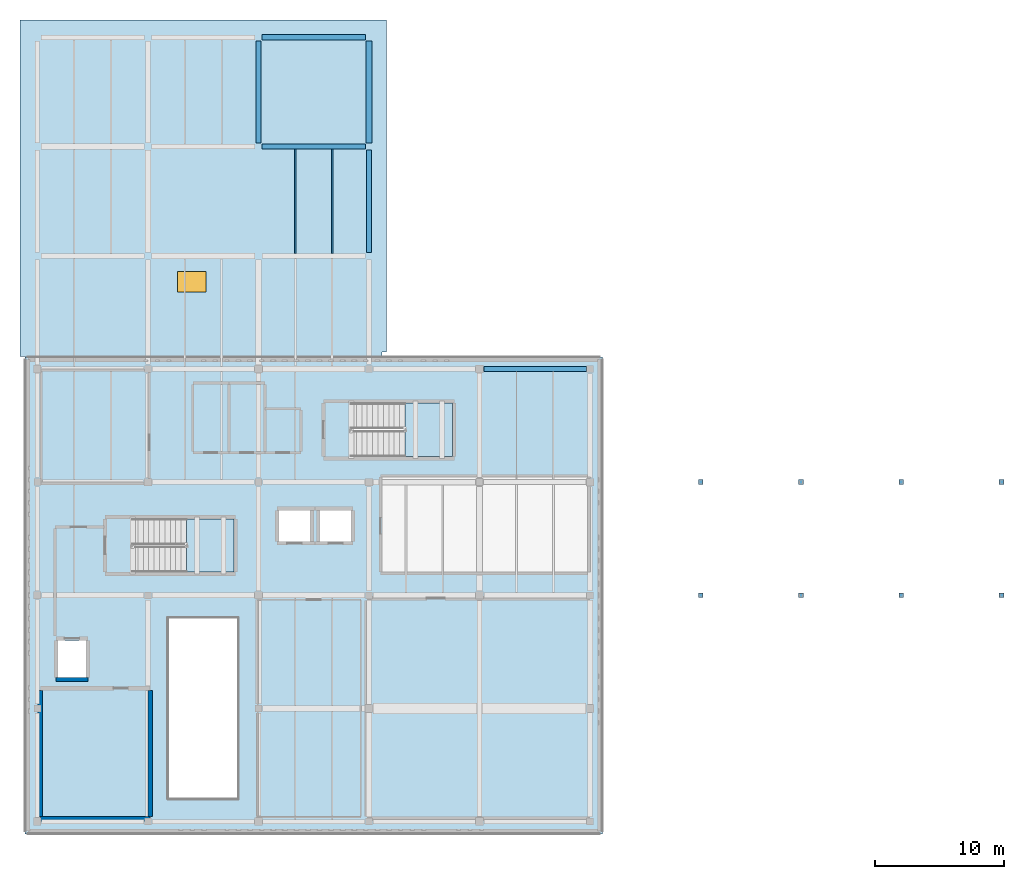
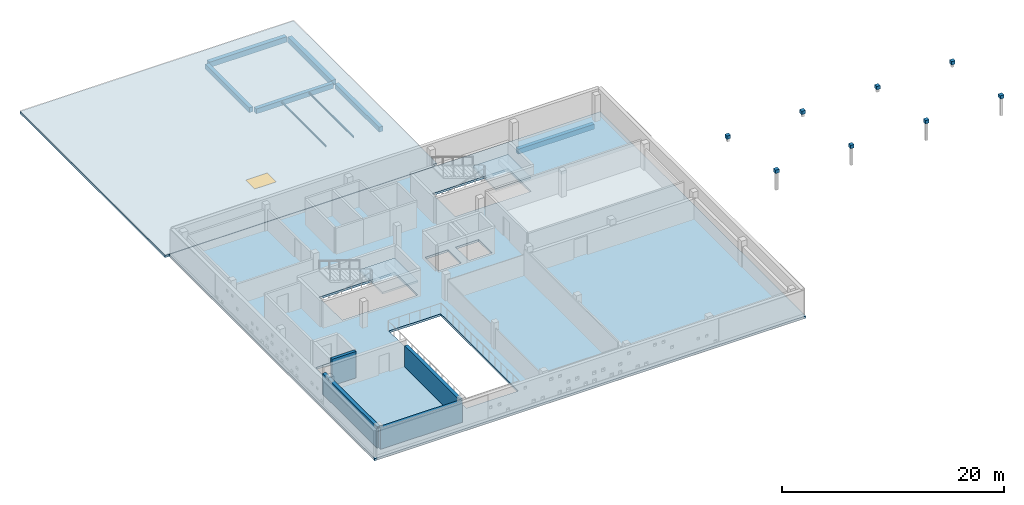
# One storey, part 6 of 17: 8 beams, 8 plates, 4 slabs, 4 walls, 1 window, 1 opening, 2 elements without a shape of their own.
"""IFC4 building model written with IfcOpenShell, lengths in metres."""

import ifcopenshell
import ifcopenshell.guid

model = None  # the IFC model being written
_history = None  # IfcOwnerHistory: only IFC2X3 demands one
_inside = {}  # id of a spatial element -> (the spatial element, [elements in it])
_under = {}  # id of a project, library or spatial element -> (it, [spatial elements below it])
_declared = {}  # id of a project -> (the project, [libraries it declares])
_typed = {}  # id of a type object -> (the type object, [elements of that type])
_made_of = {}  # id of a material, layer set ... -> (it, [elements and type objects made of it])


def new_model(schema):
    """Start an empty IFC model of exactly this schema.

    Asked for "IFC4X3", IfcOpenShell would pick the latest addendum, in which some entities
    have other attributes; the version numbers below select the first issue.
    IFC2X3 requires an IfcOwnerHistory on every rooted entity: one is made here for all.
    """
    global model, _history
    if schema == "IFC4X3":
        model = ifcopenshell.file(schema_version=(4, 3, 0, 0))
    else:
        model = ifcopenshell.file(schema=schema)
    _inside.clear()
    _under.clear()
    _declared.clear()
    _typed.clear()
    _made_of.clear()
    _history = None
    if model.schema == "IFC2X3":
        org = make("IfcOrganization", Name="unknown")
        user = make(
            "IfcPersonAndOrganization",
            ThePerson=make("IfcPerson", FamilyName="unknown"),
            TheOrganization=org,
        )
        app = make(
            "IfcApplication",
            ApplicationDeveloper=org,
            Version="unknown",
            ApplicationFullName="unknown",
            ApplicationIdentifier="unknown",
        )
        _history = make(
            "IfcOwnerHistory",
            OwningUser=user,
            OwningApplication=app,
            ChangeAction="ADDED",
            CreationDate=0,
        )
    return model


def make(cls, **values):
    """One entity of the class cls with the attributes given. An attribute that is None is left unset."""
    return model.create_entity(
        cls, **{name: value for name, value in values.items() if value is not None}
    )


def rooted(cls, **values):
    """An entity with a GlobalId (a new one), such as an element, a storey or a relation."""
    return make(cls, GlobalId=ifcopenshell.guid.new(), OwnerHistory=_history, **values)


def si_unit(unit_type, name, prefix=None):
    """IfcSIUnit, for example si_unit("LENGTHUNIT", "METRE", prefix="MILLI")."""
    return make("IfcSIUnit", UnitType=unit_type, Prefix=prefix, Name=name)


def assignment(units):
    """IfcUnitAssignment: the units of a project."""
    return None if units is None else make("IfcUnitAssignment", Units=units)


def point(xyz):
    """IfcCartesianPoint."""
    return None if xyz is None else make("IfcCartesianPoint", Coordinates=xyz)


def direction(xyz):
    """IfcDirection."""
    return None if xyz is None else make("IfcDirection", DirectionRatios=xyz)


def frame(location, z_axis=None, x_axis=None):
    """IfcAxis2Placement3D, a coordinate frame: its origin and axes. An axis left out is left unset."""
    return make(
        "IfcAxis2Placement3D",
        Location=point(location),
        Axis=direction(z_axis),
        RefDirection=direction(x_axis),
    )


def frame_2d(location, x_axis=None):
    """IfcAxis2Placement2D, a coordinate frame in the plane: its origin and x axis."""
    return make(
        "IfcAxis2Placement2D", Location=point(location), RefDirection=direction(x_axis)
    )


def origin():
    """The frame at (0, 0, 0) with its axes left unset."""
    return frame((0.0, 0.0, 0.0))


def origin_2d():
    """The frame at (0, 0) in the plane with its x axis left unset."""
    return frame_2d((0.0, 0.0))


def place(relative_to, where):
    """IfcLocalPlacement: puts the frame where relative to a parent placement (None: the world)."""
    return make(
        "IfcLocalPlacement", PlacementRelTo=relative_to, RelativePlacement=where
    )


def context(
    kind, dimensions, precision=None, world=None, true_north=None, identifier=None
):
    """IfcGeometricRepresentationContext, for example the 3D "Model" context."""
    return make(
        "IfcGeometricRepresentationContext",
        ContextIdentifier=identifier,
        ContextType=kind,
        CoordinateSpaceDimension=dimensions,
        Precision=precision,
        WorldCoordinateSystem=world,
        TrueNorth=true_north,
    )


def subcontext(parent, identifier, kind, view, scale=None):
    """IfcGeometricRepresentationSubContext, for example "Body" below "Model"."""
    return make(
        "IfcGeometricRepresentationSubContext",
        ContextIdentifier=identifier,
        ContextType=kind,
        ParentContext=parent,
        TargetScale=scale,
        TargetView=view,
    )


def project(units=None, contexts=None):
    """IfcProject with its units and contexts."""
    return rooted(
        "IfcProject",
        Name="project",
        RepresentationContexts=contexts,
        UnitsInContext=assignment(units),
    )


def spatial(cls, under=None, at=None, **own):
    """A site, building, storey or space (cls), placed at a placement, below another one or the project."""
    s = rooted(cls, ObjectPlacement=at, **own)
    if under is not None:
        _under.setdefault(under.id(), (under, []))[1].append(s)
    return s


def polyline(points):
    """IfcPolyline through the points."""
    return make("IfcPolyline", Points=[point(p) for p in points])


def profile(cls, at=None, kind="AREA", **sizes):
    """A parametric profile (cls). Its sizes go by their IFC names, for example OverallWidth=200.0."""
    return make(cls, ProfileType=kind, Position=at, **sizes)


def rectangle(**sizes):
    """IfcRectangleProfileDef."""
    return profile("IfcRectangleProfileDef", **sizes)


def i_section(**sizes):
    """IfcIShapeProfileDef."""
    return profile("IfcIShapeProfileDef", **sizes)


def outline(outer, holes=None, kind="AREA"):
    """IfcArbitraryClosedProfileDef: a profile drawn as a closed curve; with holes, ...WithVoids."""
    if holes is None:
        return make("IfcArbitraryClosedProfileDef", ProfileType=kind, OuterCurve=outer)
    return make(
        "IfcArbitraryProfileDefWithVoids",
        ProfileType=kind,
        OuterCurve=outer,
        InnerCurves=holes,
    )


def extrude(swept, where, along, depth):
    """IfcExtrudedAreaSolid: the profile swept, set in the frame where, extruded along a direction by depth."""
    return make(
        "IfcExtrudedAreaSolid",
        SweptArea=swept,
        Position=where,
        ExtrudedDirection=direction(along),
        Depth=depth,
    )


def shape(context_of_items, identifier, shape_type, items):
    """IfcShapeRepresentation: the items that make up one representation, for example the "Body"."""
    return make(
        "IfcShapeRepresentation",
        ContextOfItems=context_of_items,
        RepresentationIdentifier=identifier,
        RepresentationType=shape_type,
        Items=items,
    )


def material(Name=None, Category=None):
    """IfcMaterial."""
    return make("IfcMaterial", Name=Name, Category=Category)


def layer(
    of_material, thickness, ventilated=None, Name=None, Category=None, Priority=None
):
    """IfcMaterialLayer: one layer of a wall or slab, of a material (None: an air gap)."""
    return make(
        "IfcMaterialLayer",
        Material=of_material,
        LayerThickness=thickness,
        IsVentilated=ventilated,
        Name=Name,
        Category=Category,
        Priority=Priority,
    )


def layer_set(layers, Name=None):
    """IfcMaterialLayerSet."""
    return make("IfcMaterialLayerSet", MaterialLayers=layers, LayerSetName=Name)


def material_profile(
    of_material, cross_section, Name=None, Category=None, Priority=None
):
    """IfcMaterialProfile: a cross section and its material."""
    return make(
        "IfcMaterialProfile",
        Name=Name,
        Material=of_material,
        Profile=cross_section,
        Priority=Priority,
        Category=Category,
    )


def profile_set(profiles, Name=None, composite=None):
    """IfcMaterialProfileSet."""
    return make(
        "IfcMaterialProfileSet",
        Name=Name,
        MaterialProfiles=profiles,
        CompositeProfile=composite,
    )


def made_of(thing, what):
    """Note that an element or type object is made of a material, layer set ...; save() writes the relation."""
    if what is not None:
        _made_of.setdefault(what.id(), (what, []))[1].append(thing)
    return thing


def type_object(cls, material=None, **own):
    """A type object (cls), such as IfcWallType, which elements share."""
    return made_of(rooted(cls, **own), material)


def element(
    cls,
    number,
    at=None,
    inside=None,
    cuts=None,
    type_object=None,
    material=None,
    context=None,
    identifier="Body",
    shape_type=None,
    held_by="IfcProductDefinitionShape",
    body=None,
    shapes=None,
    **own,
):
    """One element of the class cls, such as IfcWall. Its Tag is "e" and its number.

    at: its placement. inside: the storey or other place that contains it. cuts: it is an
    opening in that element (IfcRelVoidsElement). A single representation is given by context,
    identifier, shape_type and body (its items); several are given by shapes. held_by: the class
    of the entity that holds the representations. save() writes the other relations.
    """
    e = rooted(cls, Tag="e%d" % number, ObjectPlacement=at, **own)
    if body is not None:
        shapes = [shape(context, identifier, shape_type, body)]
    if shapes is not None:
        e.Representation = make(held_by, Representations=shapes)
    if inside is not None:
        _inside.setdefault(inside.id(), (inside, []))[1].append(e)
    if cuts is not None:
        rooted(
            "IfcRelVoidsElement", RelatingBuildingElement=cuts, RelatedOpeningElement=e
        )
    if type_object is not None:
        _typed.setdefault(type_object.id(), (type_object, []))[1].append(e)
    return made_of(e, material)


def fill(opening, filler):
    """IfcRelFillsElement: the door or window that sits in an opening."""
    return rooted(
        "IfcRelFillsElement",
        RelatingOpeningElement=opening,
        RelatedBuildingElement=filler,
    )


def aggregate(whole, parts):
    """IfcRelAggregates: a whole, such as a stair, and the parts it consists of."""
    return rooted("IfcRelAggregates", RelatingObject=whole, RelatedObjects=parts)


def save(model, path):
    """Write the relations noted so far, then the file.

    IfcRelAggregates (storeys below a building ...), IfcRelContainedInSpatialStructure (elements
    in a storey), IfcRelDefinesByType, IfcRelAssociatesMaterial and IfcRelDeclares: one each for
    every whole, place, type object, material and project.
    """
    for whole, parts in _under.values():
        aggregate(whole, parts)
    for where, things in _inside.values():
        rooted(
            "IfcRelContainedInSpatialStructure",
            RelatedElements=things,
            RelatingStructure=where,
        )
    for kind, things in _typed.values():
        rooted("IfcRelDefinesByType", RelatedObjects=things, RelatingType=kind)
    for what, things in _made_of.values():
        rooted("IfcRelAssociatesMaterial", RelatedObjects=things, RelatingMaterial=what)
    for by, libraries in _declared.values():
        rooted("IfcRelDeclares", RelatingContext=by, RelatedDefinitions=libraries)
    model.write(path)


model = new_model("IFC4")

# Units and contexts
model_context = context("Model", 3, precision=1e-05, world=origin(), true_north=direction((0.0, 1.0)))
body_context = subcontext(model_context, "Body", "Model", "MODEL_VIEW")
ifc_project = project(units=[si_unit("LENGTHUNIT", "METRE"), si_unit("AREAUNIT", "SQUARE_METRE"), si_unit("VOLUMEUNIT", "CUBIC_METRE"), si_unit("PLANEANGLEUNIT", "RADIAN"), si_unit("MASSUNIT", "GRAM", prefix="KILO")], contexts=[model_context])

# Site, building, storey
site_placement = place(None, origin())
site = spatial("IfcSite", under=ifc_project, at=site_placement, CompositionType="ELEMENT")
building_placement = place(site_placement, origin())
building = spatial("IfcBuilding", under=site, at=building_placement, Name="Varnakota Cinema and Media Centre", CompositionType="ELEMENT")
storey_placement = place(building_placement, frame((0.0, 0.0, 22.35009765625)))
storey = spatial("IfcBuildingStorey", under=building, at=storey_placement, Name="L06", CompositionType="ELEMENT", Elevation=22.35009765625)

# Beams
ifc_material_1 = material(Name="Concrete M35", Category="concrete")
ifc_material_profile_1 = material_profile(ifc_material_1, rectangle(XDim=0.39990234375, YDim=0.550048828125, at=origin_2d()), Name="RCB 400x550")
ifc_profile_set_1 = profile_set([ifc_material_profile_1], Name="Concrete M35")
beam_type_1 = type_object("IfcBeamType", Name="BM-RC-400x550", PredefinedType="BEAM", material=ifc_profile_set_1)
beam_1_placement = place(storey_placement, frame((34.72509765625, 35.199951171875, -0.51513671875), z_axis=(1.0, 0.0, 0.0), x_axis=(0.0, 1.0, 0.0)))
element("IfcBeam", 1, at=beam_1_placement, inside=storey, type_object=beam_type_1, Name="L06 girder E-F/5", PredefinedType="BEAM", context=body_context, shape_type="SweptSolid", body=[
    extrude(rectangle(XDim=0.39990234375, YDim=0.550048828125, at=origin_2d()), origin(), (0.0, 0.0, 1.0), 7.974853515625),
])
beam_2_placement = place(storey_placement, frame((17.47509765625, 52.5, -0.51513671875), z_axis=(1.0, 0.0, 0.0), x_axis=(0.0, 1.0, 0.0)))
element("IfcBeam", 2, at=beam_2_placement, inside=storey, type_object=beam_type_1, Name="L06 girder C-D/7", PredefinedType="BEAM", context=body_context, shape_type="SweptSolid", body=[
    extrude(rectangle(XDim=0.39990234375, YDim=0.550048828125, at=origin_2d()), origin(), (0.0, 0.0, 1.0), 8.0498046875),
])
for number, where, z_axis, x_axis, name in (
    (3, (17.199951171875, 52.77490234375, -0.51513671875), (0.0, 1.0, 0.0), (-1.0, 0.0, 0.0), "L06 girder C/7-8"),
    (4, (25.800048828125, 44.27490234375, -0.51513671875), (0.0, 1.0, 0.0), (-1.0, 0.0, 0.0), "L06 girder D/6-7"),
):
    element("IfcBeam", number, at=place(storey_placement, frame(where, z_axis=z_axis, x_axis=x_axis)), inside=storey, type_object=beam_type_1, Name=name, PredefinedType="BEAM", context=body_context, shape_type="SweptSolid", body=[
        extrude(rectangle(XDim=0.39990234375, YDim=0.550048828125, at=origin_2d()), origin(), (0.0, 0.0, 1.0), 7.9501953125),
    ])
ifc_material_2 = material(Name="Concrete M35", Category="concrete")
ifc_material_profile_2 = material_profile(ifc_material_2, rectangle(XDim=0.449951171875, YDim=0.60009765625, at=origin_2d()), Name="RCB 450x600")
ifc_profile_set_2 = profile_set([ifc_material_profile_2], Name="Concrete M35")
beam_type_2 = type_object("IfcBeamType", Name="BM-RC-450x600", PredefinedType="BEAM", material=ifc_profile_set_2)
beam_3_placement = place(storey_placement, frame((17.47509765625, 61.0, -0.5400390625), z_axis=(1.0, 0.0, 0.0), x_axis=(0.0, 1.0, 0.0)))
element("IfcBeam", 5, at=beam_3_placement, inside=storey, type_object=beam_type_2, Name="L06 girder C-D/8", PredefinedType="BEAM", context=body_context, shape_type="SweptSolid", body=[
    extrude(rectangle(XDim=0.449951171875, YDim=0.60009765625, at=origin_2d()), origin(), (0.0, 0.0, 1.0), 8.0498046875),
])
beam_4_placement = place(storey_placement, frame((25.800048828125, 52.77490234375, -0.5400390625), z_axis=(0.0, 1.0, 0.0), x_axis=(-1.0, 0.0, 0.0)))
element("IfcBeam", 6, at=beam_4_placement, inside=storey, type_object=beam_type_2, Name="L06 girder D/7-8", PredefinedType="BEAM", context=body_context, shape_type="SweptSolid", body=[
    extrude(rectangle(XDim=0.449951171875, YDim=0.60009765625, at=origin_2d()), origin(), (0.0, 0.0, 1.0), 7.9501953125),
])
ifc_material_3 = material(Name="Structural steel Grade 350 (E350)", Category="steel")
ifc_material_profile_3 = material_profile(ifc_material_3, i_section(OverallWidth=0.10009765625, OverallDepth=0.199951171875, WebThickness=0.005615234375, FlangeThickness=0.0107421875, FilletRadius=0.010986328125, at=origin_2d()), Name="ISMB 200")
ifc_profile_set_3 = profile_set([ifc_material_profile_3], Name="Structural steel Grade 350 (E350)")
beam_type_3 = type_object("IfcBeamType", Name="BM-ST-ISMB200", PredefinedType="JOIST", material=ifc_profile_set_3)
for number, where, z_axis, x_axis, name in (
    (7, (20.066650390625, 44.199951171875, -0.340087890625), (0.0, 1.0, 0.0), (-1.0, 0.0, 0.0), "L06 steel joist C-D/6-7 #1"),
    (8, (22.933349609375, 44.199951171875, -0.340087890625), (0.0, 1.0, 0.0), (-1.0, 0.0, 0.0), "L06 steel joist C-D/6-7 #2"),
):
    element("IfcBeam", number, at=place(storey_placement, frame(where, z_axis=z_axis, x_axis=x_axis)), inside=storey, type_object=beam_type_3, Name=name, PredefinedType="JOIST", context=body_context, shape_type="SweptSolid", body=[
        extrude(i_section(OverallWidth=0.10009765625, OverallDepth=0.199951171875, WebThickness=0.005615234375, FlangeThickness=0.0107421875, FilletRadius=0.010986328125, at=origin_2d()), origin(), (0.0, 0.0, 1.0), 8.10009765625),
    ])

# Plates
ifc_material_4 = material(Name="Structural steel Grade 350 (E350)", Category="steel")
ifc_layer_1 = layer(ifc_material_4, 0.02001953125)
ifc_layer_set_1 = layer_set([ifc_layer_1], Name="Structural steel Grade 350 (E350)")
plate_type = type_object("IfcPlateType", Name="PL-NODE-20", PredefinedType="SHEET", material=ifc_layer_set_1)
for number, where, z_axis, x_axis, name in (
    (9, (51.60009765625, 17.60009765625, 1.909912109375), (0.0, 0.0, 1.0), (1.0, 0.0, 0.0), "V3 canopy node SN4 1.17"),
    (10, (51.60009765625, 26.39990234375, 0.325927734375), (0.0, 0.0, 1.0), (1.0, 0.0, 0.0), "V3 canopy node SN4 1.26"),
    (11, (59.39990234375, 17.60009765625, 1.909912109375), (0.0, 0.0, 1.0), (1.0, 0.0, 0.0), "V3 canopy node SN4 2.17"),
    (12, (59.39990234375, 26.39990234375, 0.325927734375), (0.0, 0.0, 1.0), (1.0, 0.0, 0.0), "V3 canopy node SN4 2.26"),
    (13, (67.199951171875, 17.60009765625, 1.909912109375), (0.0, 0.0, 1.0), (1.0, 0.0, 0.0), "V3 canopy node SN4 3.17"),
    (14, (67.199951171875, 26.39990234375, 0.325927734375), (0.0, 0.0, 1.0), (1.0, 0.0, 0.0), "V3 canopy node SN4 3.26"),
    (15, (75.0, 17.60009765625, 1.909912109375), (0.0, 0.0, 1.0), (1.0, 0.0, 0.0), "V3 canopy node SN4 4.17"),
    (16, (75.0, 26.39990234375, 0.325927734375), (0.0, 0.0, 1.0), (1.0, 0.0, 0.0), "V3 canopy node SN4 4.26"),
):
    element("IfcPlate", number, at=place(storey_placement, frame(where, z_axis=z_axis, x_axis=x_axis)), inside=storey, type_object=plate_type, Name=name, PredefinedType="SHEET", context=body_context, shape_type="SweptSolid", body=[
        extrude(rectangle(XDim=0.3798828125, YDim=0.3798828125, at=origin_2d()), origin(), (0.0, 0.0, 1.0), 0.3798828125),
    ])

# Slab
ifc_material_5 = material(Name="Concrete M35", Category="concrete")
ifc_layer_2 = layer(ifc_material_5, 0.239990234375)
ifc_layer_set_2 = layer_set([ifc_layer_2], Name="Concrete M35")
slab_type_1 = type_object("IfcSlabType", Name="SLB-FLR-240", PredefinedType="FLOOR", material=ifc_layer_set_2)
slab_1_placement = place(storey_placement, frame((0.0, 0.0, -0.239990234375)))
element("IfcSlab", 17, at=slab_1_placement, inside=storey, type_object=slab_type_1, Name="L06 V4 floor slab", PredefinedType="FLOOR", context=body_context, shape_type="SweptSolid", body=[
    extrude(outline(polyline([(-0.949951171875, -0.949951171875), (43.949951171875, -0.949951171875), (43.949951171875, 36.14990234375), (-0.949951171875, 36.14990234375), (-0.949951171875, -0.949951171875)]), holes=[polyline([(10.199951171875, 1.800048828125), (15.60009765625, 1.800048828125), (15.60009765625, 15.800048828125), (10.199951171875, 15.800048828125), (10.199951171875, 1.800048828125)]), polyline([(7.39990234375, 19.39990234375), (15.280029296875, 19.39990234375), (15.280029296875, 23.550048828125), (7.39990234375, 23.550048828125), (7.39990234375, 19.39990234375)]), polyline([(24.39990234375, 28.39990234375), (32.280029296875, 28.39990234375), (32.280029296875, 32.550048828125), (24.39990234375, 32.550048828125), (24.39990234375, 28.39990234375)]), polyline([(1.60009765625, 11.199951171875), (3.800048828125, 11.199951171875), (3.800048828125, 14.10009765625), (1.60009765625, 14.10009765625), (1.60009765625, 11.199951171875)]), polyline([(18.800048828125, 21.800048828125), (21.199951171875, 21.800048828125), (21.199951171875, 24.199951171875), (18.800048828125, 24.199951171875), (18.800048828125, 21.800048828125)]), polyline([(22.0, 21.800048828125), (24.39990234375, 21.800048828125), (24.39990234375, 24.199951171875), (22.0, 24.199951171875), (22.0, 21.800048828125)])]), origin(), (0.0, 0.0, 1.0), 0.239990234375),
])

# Stair, slab
ifc_material_6 = material(Name="Concrete M35", Category="concrete")
stair_type_1 = type_object("IfcStairType", Name="STR-CORE-ST-01-2000", PredefinedType="HALF_TURN_STAIR", material=ifc_material_6)
stair_1_placement = place(storey_placement, origin())
stair_1 = element("IfcStair", 18, at=stair_1_placement, inside=storey, type_object=stair_type_1, Name="L06 West Firefighting Stair 1", PredefinedType="HALF_TURN_STAIR")
ifc_material_7 = material(Name="Concrete M35", Category="concrete")
ifc_layer_3 = layer(ifc_material_7, 0.199951171875)
ifc_layer_set_3 = layer_set([ifc_layer_3], Name="Concrete M35")
slab_type_2 = type_object("IfcSlabType", Name="SLB-LAND-ST-01", PredefinedType="LANDING", material=ifc_layer_set_3)
slab_2_placement = place(storey_placement, frame((0.0, 0.0, 1.375)))
slab_2 = element("IfcSlab", 19, at=slab_2_placement, type_object=slab_type_2, Name="ST-01 landing 1", PredefinedType="LANDING", context=body_context, shape_type="SweptSolid", body=[
    extrude(outline(polyline([(11.60009765625, 19.39990234375), (15.280029296875, 19.39990234375), (15.280029296875, 23.550048828125), (11.60009765625, 23.550048828125), (11.60009765625, 19.39990234375)])), origin(), (0.0, 0.0, 1.0), 0.199951171875),
])
aggregate(stair_1, [slab_2])

ifc_material_8 = material(Name="Concrete M35", Category="concrete")
stair_type_2 = type_object("IfcStairType", Name="STR-CORE-ST-02-2000", PredefinedType="HALF_TURN_STAIR", material=ifc_material_8)
stair_2_placement = place(storey_placement, origin())
stair_2 = element("IfcStair", 20, at=stair_2_placement, inside=storey, type_object=stair_type_2, Name="L06 Cinema North Escape Stair 2", PredefinedType="HALF_TURN_STAIR")
ifc_material_9 = material(Name="Concrete M35", Category="concrete")
ifc_layer_4 = layer(ifc_material_9, 0.199951171875)
ifc_layer_set_4 = layer_set([ifc_layer_4], Name="Concrete M35")
slab_type_3 = type_object("IfcSlabType", Name="SLB-LAND-ST-02", PredefinedType="LANDING", material=ifc_layer_set_4)
slab_3_placement = place(storey_placement, frame((0.0, 0.0, 1.375)))
slab_3 = element("IfcSlab", 21, at=slab_3_placement, type_object=slab_type_3, Name="ST-02 landing 1", PredefinedType="LANDING", context=body_context, shape_type="SweptSolid", body=[
    extrude(outline(polyline([(28.60009765625, 28.39990234375), (32.280029296875, 28.39990234375), (32.280029296875, 32.550048828125), (28.60009765625, 32.550048828125), (28.60009765625, 28.39990234375)])), origin(), (0.0, 0.0, 1.0), 0.199951171875),
])
aggregate(stair_2, [slab_3])

# Slab, opening, window
ifc_material_10 = material(Name="Concrete M35", Category="concrete")
ifc_layer_5 = layer(ifc_material_10, 0.239990234375)
ifc_layer_set_5 = layer_set([ifc_layer_5], Name="Concrete M35")
slab_type_4 = type_object("IfcSlabType", Name="SLB-ROOF-240", PredefinedType="ROOF", material=ifc_layer_set_5)
slab_4_placement = place(storey_placement, frame((0.0, 0.0, -0.239990234375)))
slab_4 = element("IfcSlab", 22, at=slab_4_placement, inside=storey, type_object=slab_type_4, Name="L06 overhanging cool roof ROOF-V5-TOP", PredefinedType="ROOF", context=body_context, shape_type="SweptSolid", body=[
    extrude(outline(polyline([(-1.35009765625, 36.169921875), (26.800048828125, 36.169921875), (26.800048828125, 36.52001953125), (27.14990234375, 36.52001953125), (27.14990234375, 62.35009765625), (-1.35009765625, 62.35009765625), (-1.35009765625, 36.169921875)])), origin(), (0.0, 0.0, 1.0), 0.239990234375),
])
opening_placement = place(slab_4_placement, frame((12.0, 42.0, 0.0)))
opening = element("IfcOpeningElement", 23, at=opening_placement, cuts=slab_4, Name="Opening SK4", PredefinedType="OPENING", context=body_context, shape_type="SweptSolid", body=[
    extrude(rectangle(XDim=2.199951171875, YDim=1.60009765625, at=origin_2d()), origin(), (0.0, 0.0, 1.0), 0.239990234375),
])
ifc_material_11 = material(Name="Laminated solar-control double glazing", Category="glass")
window_type = type_object("IfcWindowType", Name="SKY-HATCH-4", PartitioningType="SINGLE_PANEL", PredefinedType="SKYLIGHT", material=ifc_material_11)
window_placement = place(opening_placement, frame((0.0, 0.0, 0.18994140625)))
window = element("IfcWindow", 24, at=window_placement, inside=storey, type_object=window_type, Name="L06 acoustic smoke-vent skylight SKY-L06-1", OverallHeight=1.60009765625, OverallWidth=2.199951171875, PartitioningType="SINGLE_PANEL", PredefinedType="SKYLIGHT", context=body_context, shape_type="SweptSolid", body=[
    extrude(rectangle(XDim=2.199951171875, YDim=1.60009765625, at=origin_2d()), origin(), (0.0, 0.0, 1.0), 0.050048828125),
])
fill(opening, window)

# Walls
ifc_material_12 = material(Name="Concrete M40", Category="concrete")
ifc_layer_6 = layer(ifc_material_12, 0.300048828125)
ifc_layer_set_6 = layer_set([ifc_layer_6], Name="Concrete M40")
wall_type_1 = type_object("IfcWallType", Name="W-CORE-300", PredefinedType="SHEAR", material=ifc_layer_set_6)
wall_1_placement = place(storey_placement, frame((3.949951171875, 11.050048828125, 0.0), z_axis=(0.0, 0.0, 1.0), x_axis=(-1.0, 0.0, 0.0)))
element("IfcWall", 25, at=wall_1_placement, inside=storey, type_object=wall_type_1, Name="L06 LSHAFT-LF-01-L06 S wall", PredefinedType="SHEAR", context=body_context, shape_type="SweptSolid", body=[
    extrude(rectangle(XDim=2.5, YDim=0.300048828125, at=frame_2d((1.25, 0.0))), origin(), (0.0, 0.0, 1.0), 2.909912109375),
])
ifc_material_13 = material(Name="Concrete M40", Category="concrete")
ifc_layer_7 = layer(ifc_material_13, 0.35009765625)
ifc_layer_set_7 = layer_set([ifc_layer_7], Name="Concrete M40")
wall_type_2 = type_object("IfcWallType", Name="W-SEP-350", PredefinedType="SOLIDWALL", material=ifc_layer_set_7)
wall_2_placement = place(storey_placement, frame((8.77490234375, 0.22509765625, 0.0), z_axis=(0.0, 0.0, 1.0), x_axis=(-1.0, 0.0, 0.0)))
element("IfcWall", 26, at=wall_2_placement, inside=storey, type_object=wall_type_2, Name="L06 RWALL-RM-L06-SEM6 S wall", PredefinedType="SOLIDWALL", context=body_context, shape_type="SweptSolid", body=[
    extrude(rectangle(XDim=8.5498046875, YDim=0.35009765625, at=frame_2d((4.27490234375, 0.0))), origin(), (0.0, 0.0, 1.0), 2.289794921875),
])
wall_3_placement = place(storey_placement, frame((0.22509765625, 0.39990234375, 0.0), z_axis=(0.0, 0.0, 1.0), x_axis=(0.0, 1.0, 0.0)))
element("IfcWall", 27, at=wall_3_placement, inside=storey, type_object=wall_type_2, Name="L06 RWALL-RM-L06-SEM6 W wall", PredefinedType="SOLIDWALL", context=body_context, shape_type="SweptSolid", body=[
    extrude(rectangle(XDim=9.800048828125, YDim=0.35009765625, at=frame_2d((4.89990234375, 0.0))), origin(), (0.0, 0.0, 1.0), 2.289794921875),
])
wall_4_placement = place(storey_placement, frame((8.77490234375, 10.199951171875, 0.0), z_axis=(0.0, 0.0, 1.0), x_axis=(0.0, -1.0, 0.0)))
element("IfcWall", 28, at=wall_4_placement, inside=storey, type_object=wall_type_2, Name="L06 RWALL-RM-L06-SEM6 E wall", PredefinedType="SOLIDWALL", context=body_context, shape_type="SweptSolid", body=[
    extrude(rectangle(XDim=9.800048828125, YDim=0.35009765625, at=frame_2d((4.89990234375, 0.0))), origin(), (0.0, 0.0, 1.0), 2.33984375),
])

save(model, "model.ifc")
